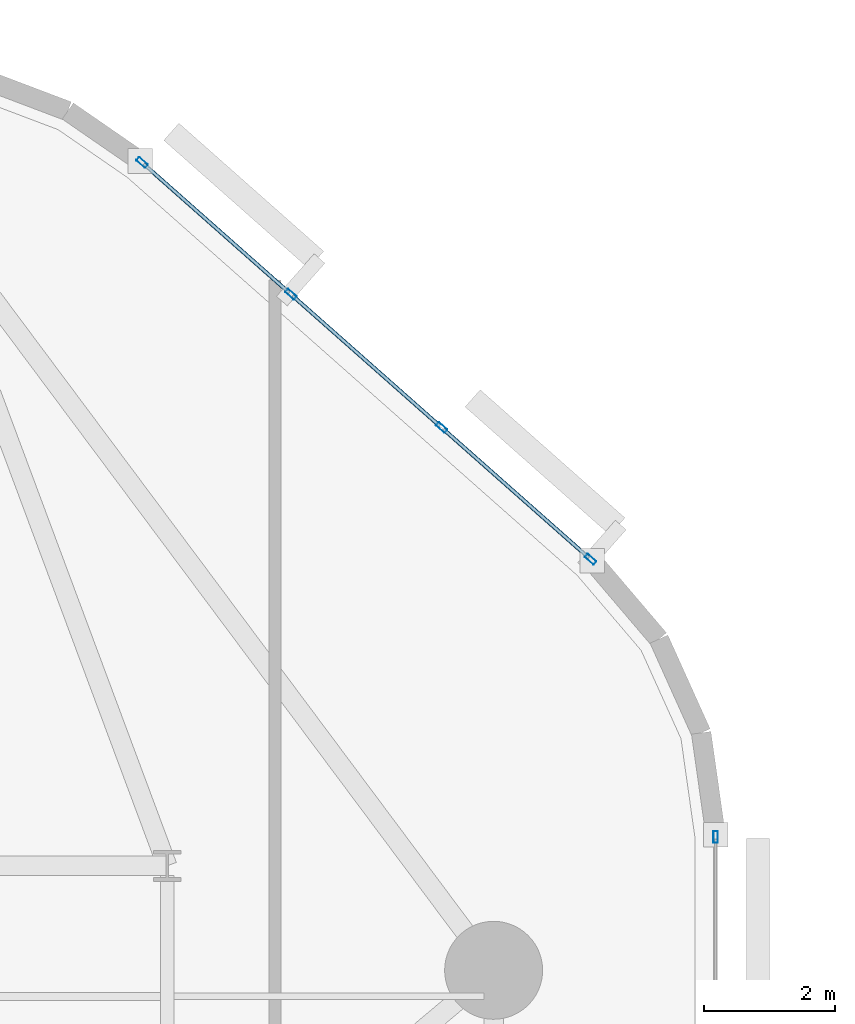
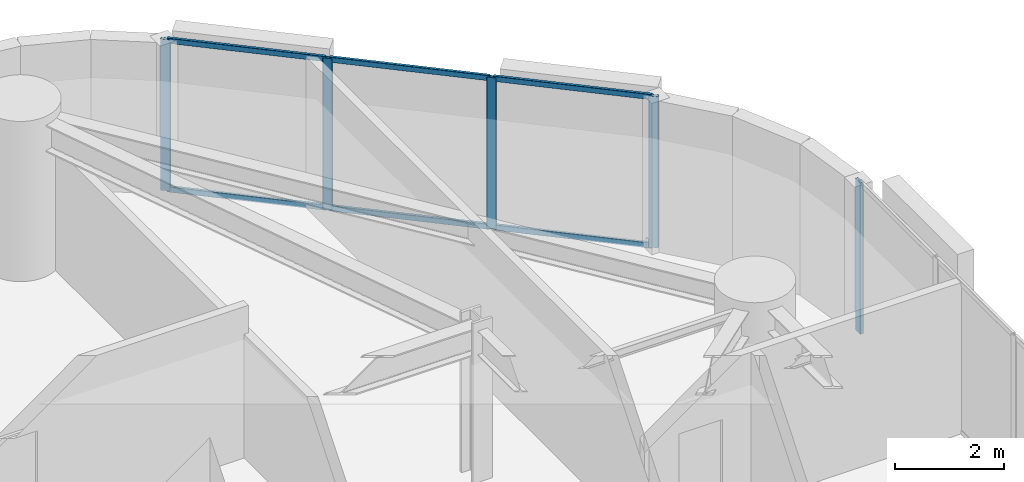
# One storey, part 8 of 16: 11 members, 2 elements without a shape of their own.
"""IFC4 building model written with IfcOpenShell, lengths in metres."""

import ifcopenshell
import ifcopenshell.guid

model = None  # the IFC model being written
_history = None  # IfcOwnerHistory: only IFC2X3 demands one
_inside = {}  # id of a spatial element -> (the spatial element, [elements in it])
_under = {}  # id of a project, library or spatial element -> (it, [spatial elements below it])
_declared = {}  # id of a project -> (the project, [libraries it declares])
_typed = {}  # id of a type object -> (the type object, [elements of that type])
_made_of = {}  # id of a material, layer set ... -> (it, [elements and type objects made of it])


def new_model(schema):
    """Start an empty IFC model of exactly this schema.

    Asked for "IFC4X3", IfcOpenShell would pick the latest addendum, in which some entities
    have other attributes; the version numbers below select the first issue.
    IFC2X3 requires an IfcOwnerHistory on every rooted entity: one is made here for all.
    """
    global model, _history
    if schema == "IFC4X3":
        model = ifcopenshell.file(schema_version=(4, 3, 0, 0))
    else:
        model = ifcopenshell.file(schema=schema)
    _inside.clear()
    _under.clear()
    _declared.clear()
    _typed.clear()
    _made_of.clear()
    _history = None
    if model.schema == "IFC2X3":
        org = make("IfcOrganization", Name="unknown")
        user = make(
            "IfcPersonAndOrganization",
            ThePerson=make("IfcPerson", FamilyName="unknown"),
            TheOrganization=org,
        )
        app = make(
            "IfcApplication",
            ApplicationDeveloper=org,
            Version="unknown",
            ApplicationFullName="unknown",
            ApplicationIdentifier="unknown",
        )
        _history = make(
            "IfcOwnerHistory",
            OwningUser=user,
            OwningApplication=app,
            ChangeAction="ADDED",
            CreationDate=0,
        )
    return model


def make(cls, **values):
    """One entity of the class cls with the attributes given. An attribute that is None is left unset."""
    return model.create_entity(
        cls, **{name: value for name, value in values.items() if value is not None}
    )


def rooted(cls, **values):
    """An entity with a GlobalId (a new one), such as an element, a storey or a relation."""
    return make(cls, GlobalId=ifcopenshell.guid.new(), OwnerHistory=_history, **values)


def si_unit(unit_type, name, prefix=None):
    """IfcSIUnit, for example si_unit("LENGTHUNIT", "METRE", prefix="MILLI")."""
    return make("IfcSIUnit", UnitType=unit_type, Prefix=prefix, Name=name)


def assignment(units):
    """IfcUnitAssignment: the units of a project."""
    return None if units is None else make("IfcUnitAssignment", Units=units)


def point(xyz):
    """IfcCartesianPoint."""
    return None if xyz is None else make("IfcCartesianPoint", Coordinates=xyz)


def direction(xyz):
    """IfcDirection."""
    return None if xyz is None else make("IfcDirection", DirectionRatios=xyz)


def frame(location, z_axis=None, x_axis=None):
    """IfcAxis2Placement3D, a coordinate frame: its origin and axes. An axis left out is left unset."""
    return make(
        "IfcAxis2Placement3D",
        Location=point(location),
        Axis=direction(z_axis),
        RefDirection=direction(x_axis),
    )


def frame_2d(location, x_axis=None):
    """IfcAxis2Placement2D, a coordinate frame in the plane: its origin and x axis."""
    return make(
        "IfcAxis2Placement2D", Location=point(location), RefDirection=direction(x_axis)
    )


def origin():
    """The frame at (0, 0, 0) with its axes left unset."""
    return frame((0.0, 0.0, 0.0))


def origin_2d():
    """The frame at (0, 0) in the plane with its x axis left unset."""
    return frame_2d((0.0, 0.0))


def place(relative_to, where):
    """IfcLocalPlacement: puts the frame where relative to a parent placement (None: the world)."""
    return make(
        "IfcLocalPlacement", PlacementRelTo=relative_to, RelativePlacement=where
    )


def context(
    kind, dimensions, precision=None, world=None, true_north=None, identifier=None
):
    """IfcGeometricRepresentationContext, for example the 3D "Model" context."""
    return make(
        "IfcGeometricRepresentationContext",
        ContextIdentifier=identifier,
        ContextType=kind,
        CoordinateSpaceDimension=dimensions,
        Precision=precision,
        WorldCoordinateSystem=world,
        TrueNorth=true_north,
    )


def subcontext(parent, identifier, kind, view, scale=None):
    """IfcGeometricRepresentationSubContext, for example "Body" below "Model"."""
    return make(
        "IfcGeometricRepresentationSubContext",
        ContextIdentifier=identifier,
        ContextType=kind,
        ParentContext=parent,
        TargetScale=scale,
        TargetView=view,
    )


def project(units=None, contexts=None):
    """IfcProject with its units and contexts."""
    return rooted(
        "IfcProject",
        Name="project",
        RepresentationContexts=contexts,
        UnitsInContext=assignment(units),
    )


def spatial(cls, under=None, at=None, **own):
    """A site, building, storey or space (cls), placed at a placement, below another one or the project."""
    s = rooted(cls, ObjectPlacement=at, **own)
    if under is not None:
        _under.setdefault(under.id(), (under, []))[1].append(s)
    return s


def profile(cls, at=None, kind="AREA", **sizes):
    """A parametric profile (cls). Its sizes go by their IFC names, for example OverallWidth=200.0."""
    return make(cls, ProfileType=kind, Position=at, **sizes)


def hollow_rectangle(**sizes):
    """IfcRectangleHollowProfileDef."""
    return profile("IfcRectangleHollowProfileDef", **sizes)


def extrude(swept, where, along, depth):
    """IfcExtrudedAreaSolid: the profile swept, set in the frame where, extruded along a direction by depth."""
    return make(
        "IfcExtrudedAreaSolid",
        SweptArea=swept,
        Position=where,
        ExtrudedDirection=direction(along),
        Depth=depth,
    )


def shape(context_of_items, identifier, shape_type, items):
    """IfcShapeRepresentation: the items that make up one representation, for example the "Body"."""
    return make(
        "IfcShapeRepresentation",
        ContextOfItems=context_of_items,
        RepresentationIdentifier=identifier,
        RepresentationType=shape_type,
        Items=items,
    )


def material(Name=None, Category=None):
    """IfcMaterial."""
    return make("IfcMaterial", Name=Name, Category=Category)


def layer(
    of_material, thickness, ventilated=None, Name=None, Category=None, Priority=None
):
    """IfcMaterialLayer: one layer of a wall or slab, of a material (None: an air gap)."""
    return make(
        "IfcMaterialLayer",
        Material=of_material,
        LayerThickness=thickness,
        IsVentilated=ventilated,
        Name=Name,
        Category=Category,
        Priority=Priority,
    )


def layer_set(layers, Name=None):
    """IfcMaterialLayerSet."""
    return make("IfcMaterialLayerSet", MaterialLayers=layers, LayerSetName=Name)


def material_profile(
    of_material, cross_section, Name=None, Category=None, Priority=None
):
    """IfcMaterialProfile: a cross section and its material."""
    return make(
        "IfcMaterialProfile",
        Name=Name,
        Material=of_material,
        Profile=cross_section,
        Priority=Priority,
        Category=Category,
    )


def profile_set(profiles, Name=None, composite=None):
    """IfcMaterialProfileSet."""
    return make(
        "IfcMaterialProfileSet",
        Name=Name,
        MaterialProfiles=profiles,
        CompositeProfile=composite,
    )


def made_of(thing, what):
    """Note that an element or type object is made of a material, layer set ...; save() writes the relation."""
    if what is not None:
        _made_of.setdefault(what.id(), (what, []))[1].append(thing)
    return thing


def type_object(cls, material=None, **own):
    """A type object (cls), such as IfcWallType, which elements share."""
    return made_of(rooted(cls, **own), material)


def element(
    cls,
    number,
    at=None,
    inside=None,
    cuts=None,
    type_object=None,
    material=None,
    context=None,
    identifier="Body",
    shape_type=None,
    held_by="IfcProductDefinitionShape",
    body=None,
    shapes=None,
    **own,
):
    """One element of the class cls, such as IfcWall. Its Tag is "e" and its number.

    at: its placement. inside: the storey or other place that contains it. cuts: it is an
    opening in that element (IfcRelVoidsElement). A single representation is given by context,
    identifier, shape_type and body (its items); several are given by shapes. held_by: the class
    of the entity that holds the representations. save() writes the other relations.
    """
    e = rooted(cls, Tag="e%d" % number, ObjectPlacement=at, **own)
    if body is not None:
        shapes = [shape(context, identifier, shape_type, body)]
    if shapes is not None:
        e.Representation = make(held_by, Representations=shapes)
    if inside is not None:
        _inside.setdefault(inside.id(), (inside, []))[1].append(e)
    if cuts is not None:
        rooted(
            "IfcRelVoidsElement", RelatingBuildingElement=cuts, RelatedOpeningElement=e
        )
    if type_object is not None:
        _typed.setdefault(type_object.id(), (type_object, []))[1].append(e)
    return made_of(e, material)


def aggregate(whole, parts):
    """IfcRelAggregates: a whole, such as a stair, and the parts it consists of."""
    return rooted("IfcRelAggregates", RelatingObject=whole, RelatedObjects=parts)


def save(model, path):
    """Write the relations noted so far, then the file.

    IfcRelAggregates (storeys below a building ...), IfcRelContainedInSpatialStructure (elements
    in a storey), IfcRelDefinesByType, IfcRelAssociatesMaterial and IfcRelDeclares: one each for
    every whole, place, type object, material and project.
    """
    for whole, parts in _under.values():
        aggregate(whole, parts)
    for where, things in _inside.values():
        rooted(
            "IfcRelContainedInSpatialStructure",
            RelatedElements=things,
            RelatingStructure=where,
        )
    for kind, things in _typed.values():
        rooted("IfcRelDefinesByType", RelatedObjects=things, RelatingType=kind)
    for what, things in _made_of.values():
        rooted("IfcRelAssociatesMaterial", RelatedObjects=things, RelatingMaterial=what)
    for by, libraries in _declared.values():
        rooted("IfcRelDeclares", RelatingContext=by, RelatedDefinitions=libraries)
    model.write(path)


model = new_model("IFC4")

# Units and contexts
model_context = context("Model", 3, precision=1e-05, world=origin(), true_north=direction((0.0, 1.0)))
body_context = subcontext(model_context, "Body", "Model", "MODEL_VIEW")
ifc_project = project(units=[si_unit("LENGTHUNIT", "METRE"), si_unit("AREAUNIT", "SQUARE_METRE"), si_unit("VOLUMEUNIT", "CUBIC_METRE"), si_unit("PLANEANGLEUNIT", "RADIAN"), si_unit("MASSUNIT", "GRAM", prefix="KILO")], contexts=[model_context])

# Site, building, storey
site_placement = place(None, origin())
site = spatial("IfcSite", under=ifc_project, at=site_placement, CompositionType="ELEMENT")
building_placement = place(site_placement, origin())
building = spatial("IfcBuilding", under=site, at=building_placement, Name="An Khanh Terracotta Commons", CompositionType="ELEMENT")
storey_placement = place(building_placement, frame((0.0, 0.0, 50.39990234375)))
storey = spatial("IfcBuildingStorey", under=building, at=storey_placement, Name="L13", CompositionType="ELEMENT", Elevation=50.39990234375)

# Curtain wall, member
ifc_material = material(Name="Anodised Aluminium 6063-T6", Category="aluminium")
ifc_layer = layer(ifc_material, 0.199951171875, Name="Anodised Aluminium 6063-T6")
ifc_layer_set = layer_set([ifc_layer], Name="Anodised Aluminium 6063-T6")
curtain_wall_type = type_object("IfcCurtainWallType", Name="CW-SYS-02", PredefinedType="USERDEFINED", material=ifc_layer_set)
curtain_wall_1_placement = place(storey_placement, origin())
curtain_wall_1 = element("IfcCurtainWall", 1, at=curtain_wall_1_placement, inside=storey, type_object=curtain_wall_type, Name="L13 CW-02 Unitised Curtain Wall CW-L13-12", ObjectType="UNITISED CURTAIN WALL", PredefinedType="USERDEFINED")
ifc_material_profile_1 = material_profile(ifc_material, hollow_rectangle(XDim=0.070068359375, YDim=0.179931640625, WallThickness=0.00390625, InnerFilletRadius=0.00390625, OuterFilletRadius=0.008056640625, at=origin_2d()), Name="RHS180x70x4")
ifc_profile_set_1 = profile_set([ifc_material_profile_1], Name="Anodised Aluminium 6063-T6")
member_type_1 = type_object("IfcMemberType", Name="CWM-RHS180x70x4", PredefinedType="MULLION", material=ifc_profile_set_1)
member_1_placement = place(storey_placement, frame((51.60009765625, 34.0419921875, 0.0), z_axis=(0.0, 0.0, 1.0), x_axis=(-1.0, 0.0, 0.0)))
member_1 = element("IfcMember", 2, at=member_1_placement, type_object=member_type_1, Name="CW-02 mullion 8", PredefinedType="MULLION", context=body_context, shape_type="SweptSolid", body=[
    extrude(hollow_rectangle(XDim=0.070068359375, YDim=0.179931640625, WallThickness=0.00390625, InnerFilletRadius=0.00390625, OuterFilletRadius=0.008056640625, at=origin_2d()), origin(), (0.0, 0.0, 1.0), 3.400146484375),
])
aggregate(curtain_wall_1, [member_1])

# Curtain wall, members
curtain_wall_2_placement = place(storey_placement, origin())
curtain_wall_2 = element("IfcCurtainWall", 3, at=curtain_wall_2_placement, inside=storey, type_object=curtain_wall_type, Name="L13 CW-02 Unitised Curtain Wall CW-L13-16", ObjectType="UNITISED CURTAIN WALL", PredefinedType="USERDEFINED")
member_2_placement = place(storey_placement, frame((49.683837890625, 38.295166015625, 0.0), z_axis=(0.0, 0.0, 1.0), x_axis=(-0.662548195415, -0.749019284633, 0.0)))
member_2 = element("IfcMember", 4, at=member_2_placement, type_object=member_type_1, Name="CW-02 mullion 1", PredefinedType="MULLION", context=body_context, shape_type="SweptSolid", body=[
    extrude(hollow_rectangle(XDim=0.070068359375, YDim=0.179931640625, WallThickness=0.00390625, InnerFilletRadius=0.00390625, OuterFilletRadius=0.008056640625, at=origin_2d()), origin(), (0.0, 0.0, 1.0), 3.400146484375),
])
member_3_placement = place(storey_placement, frame((47.403076171875, 40.312744140625, 0.0), z_axis=(0.0, 0.0, 1.0), x_axis=(-0.662548195415, -0.749019284633, 0.0)))
member_3 = element("IfcMember", 5, at=member_3_placement, type_object=member_type_1, Name="CW-02 mullion 2", PredefinedType="MULLION", context=body_context, shape_type="SweptSolid", body=[
    extrude(hollow_rectangle(XDim=0.070068359375, YDim=0.179931640625, WallThickness=0.00390625, InnerFilletRadius=0.00390625, OuterFilletRadius=0.008056640625, at=origin_2d()), origin(), (0.0, 0.0, 1.0), 3.400146484375),
])
member_4_placement = place(storey_placement, frame((45.095947265625, 42.353271484375, 0.0), z_axis=(0.0, 0.0, 1.0), x_axis=(-0.662548195415, -0.749019284633, 0.0)))
member_4 = element("IfcMember", 6, at=member_4_placement, type_object=member_type_1, Name="CW-02 mullion 3", PredefinedType="MULLION", context=body_context, shape_type="SweptSolid", body=[
    extrude(hollow_rectangle(XDim=0.070068359375, YDim=0.179931640625, WallThickness=0.00390625, InnerFilletRadius=0.00390625, OuterFilletRadius=0.008056640625, at=origin_2d()), origin(), (0.0, 0.0, 1.0), 3.400146484375),
])
member_5_placement = place(storey_placement, frame((42.815185546875, 44.370849609375, 0.0), z_axis=(0.0, 0.0, 1.0), x_axis=(-0.662548195415, -0.749019284633, 0.0)))
member_5 = element("IfcMember", 7, at=member_5_placement, type_object=member_type_1, Name="CW-02 mullion 4", PredefinedType="MULLION", context=body_context, shape_type="SweptSolid", body=[
    extrude(hollow_rectangle(XDim=0.070068359375, YDim=0.179931640625, WallThickness=0.00390625, InnerFilletRadius=0.00390625, OuterFilletRadius=0.008056640625, at=origin_2d()), origin(), (0.0, 0.0, 1.0), 3.400146484375),
])
ifc_material_profile_2 = material_profile(ifc_material, hollow_rectangle(XDim=0.06005859375, YDim=0.1201171875, WallThickness=0.003662109375, InnerFilletRadius=0.003662109375, OuterFilletRadius=0.007080078125, at=origin_2d()), Name="RHS120x60x3.6")
ifc_profile_set_2 = profile_set([ifc_material_profile_2], Name="Anodised Aluminium 6063-T6")
member_type_2 = type_object("IfcMemberType", Name="CWT-RHS120x60x3.6", PredefinedType="USERDEFINED", material=ifc_profile_set_2)
member_6_placement = place(storey_placement, frame((49.657470703125, 38.318359375, 0.030029296875), z_axis=(-0.74899186341, 0.662579194168, 0.0), x_axis=(-0.662579194168, -0.74899186341, 0.0)))
member_6 = element("IfcMember", 8, at=member_6_placement, type_object=member_type_2, Name="CW-02 transom 1.1", ObjectType="TRANSOM", PredefinedType="USERDEFINED", context=body_context, shape_type="SweptSolid", body=[
    extrude(hollow_rectangle(XDim=0.06005859375, YDim=0.1201171875, WallThickness=0.003662109375, InnerFilletRadius=0.003662109375, OuterFilletRadius=0.007080078125, at=origin_2d()), origin(), (0.0, 0.0, 1.0), 2.97509765625),
])
member_7_placement = place(storey_placement, frame((49.657470703125, 38.318359375, 3.3701171875), z_axis=(-0.74899186341, 0.662579194168, 0.0), x_axis=(-0.662579194168, -0.74899186341, 0.0)))
member_7 = element("IfcMember", 9, at=member_7_placement, type_object=member_type_2, Name="CW-02 transom 1.2", ObjectType="TRANSOM", PredefinedType="USERDEFINED", context=body_context, shape_type="SweptSolid", body=[
    extrude(hollow_rectangle(XDim=0.06005859375, YDim=0.1201171875, WallThickness=0.003662109375, InnerFilletRadius=0.003662109375, OuterFilletRadius=0.007080078125, at=origin_2d()), origin(), (0.0, 0.0, 1.0), 2.97509765625),
])
member_8_placement = place(storey_placement, frame((47.376708984375, 40.3359375, 0.030029296875), z_axis=(-0.749018237701, 0.662549378984, 0.0), x_axis=(-0.662549378984, -0.749018237701, 0.0)))
member_8 = element("IfcMember", 10, at=member_8_placement, type_object=member_type_2, Name="CW-02 transom 2.1", ObjectType="TRANSOM", PredefinedType="USERDEFINED", context=body_context, shape_type="SweptSolid", body=[
    extrude(hollow_rectangle(XDim=0.06005859375, YDim=0.1201171875, WallThickness=0.003662109375, InnerFilletRadius=0.003662109375, OuterFilletRadius=0.007080078125, at=origin_2d()), origin(), (0.0, 0.0, 1.0), 3.009765625),
])
member_9_placement = place(storey_placement, frame((47.376708984375, 40.3359375, 3.3701171875), z_axis=(-0.749018237701, 0.662549378984, 0.0), x_axis=(-0.662549378984, -0.749018237701, 0.0)))
member_9 = element("IfcMember", 11, at=member_9_placement, type_object=member_type_2, Name="CW-02 transom 2.2", ObjectType="TRANSOM", PredefinedType="USERDEFINED", context=body_context, shape_type="SweptSolid", body=[
    extrude(hollow_rectangle(XDim=0.06005859375, YDim=0.1201171875, WallThickness=0.003662109375, InnerFilletRadius=0.003662109375, OuterFilletRadius=0.007080078125, at=origin_2d()), origin(), (0.0, 0.0, 1.0), 3.009765625),
])
member_10_placement = place(storey_placement, frame((45.06982421875, 42.37646484375, 0.030029296875), z_axis=(-0.74899186341, 0.662579194168, 0.0), x_axis=(-0.662579194168, -0.74899186341, 0.0)))
member_10 = element("IfcMember", 12, at=member_10_placement, type_object=member_type_2, Name="CW-02 transom 3.1", ObjectType="TRANSOM", PredefinedType="USERDEFINED", context=body_context, shape_type="SweptSolid", body=[
    extrude(hollow_rectangle(XDim=0.06005859375, YDim=0.1201171875, WallThickness=0.003662109375, InnerFilletRadius=0.003662109375, OuterFilletRadius=0.007080078125, at=origin_2d()), origin(), (0.0, 0.0, 1.0), 2.97509765625),
])
member_11_placement = place(storey_placement, frame((45.06982421875, 42.37646484375, 3.3701171875), z_axis=(-0.74899186341, 0.662579194168, 0.0), x_axis=(-0.662579194168, -0.74899186341, 0.0)))
member_11 = element("IfcMember", 13, at=member_11_placement, type_object=member_type_2, Name="CW-02 transom 3.2", ObjectType="TRANSOM", PredefinedType="USERDEFINED", context=body_context, shape_type="SweptSolid", body=[
    extrude(hollow_rectangle(XDim=0.06005859375, YDim=0.1201171875, WallThickness=0.003662109375, InnerFilletRadius=0.003662109375, OuterFilletRadius=0.007080078125, at=origin_2d()), origin(), (0.0, 0.0, 1.0), 2.97509765625),
])
aggregate(curtain_wall_2, [member_2, member_3, member_4, member_5, member_6, member_7, member_8, member_9, member_10, member_11])

save(model, "model.ifc")
